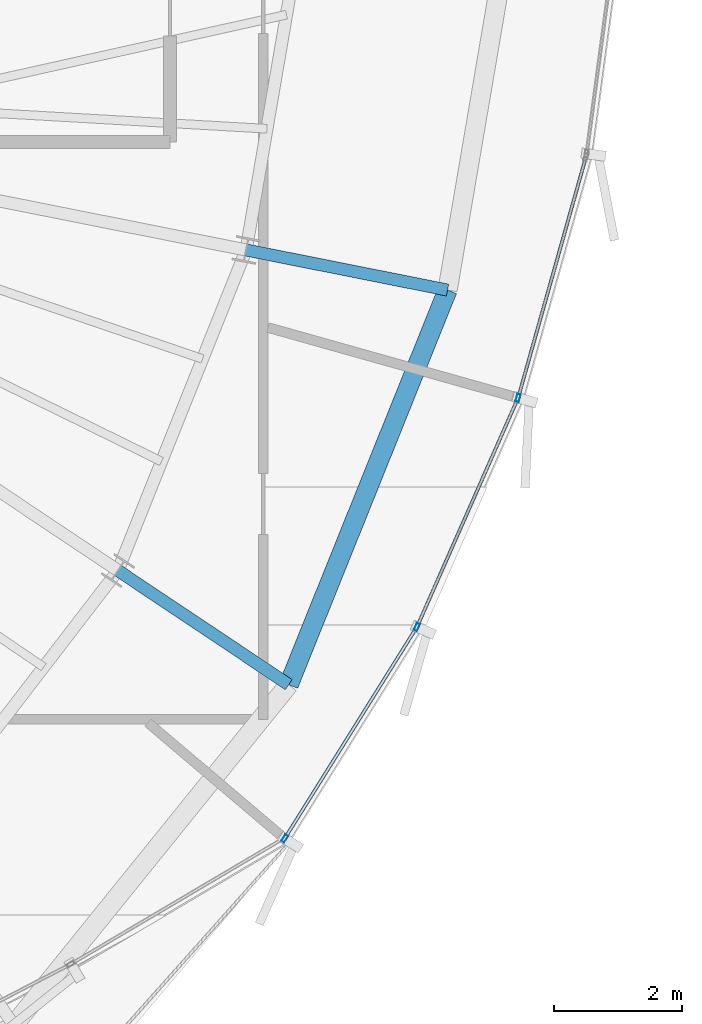
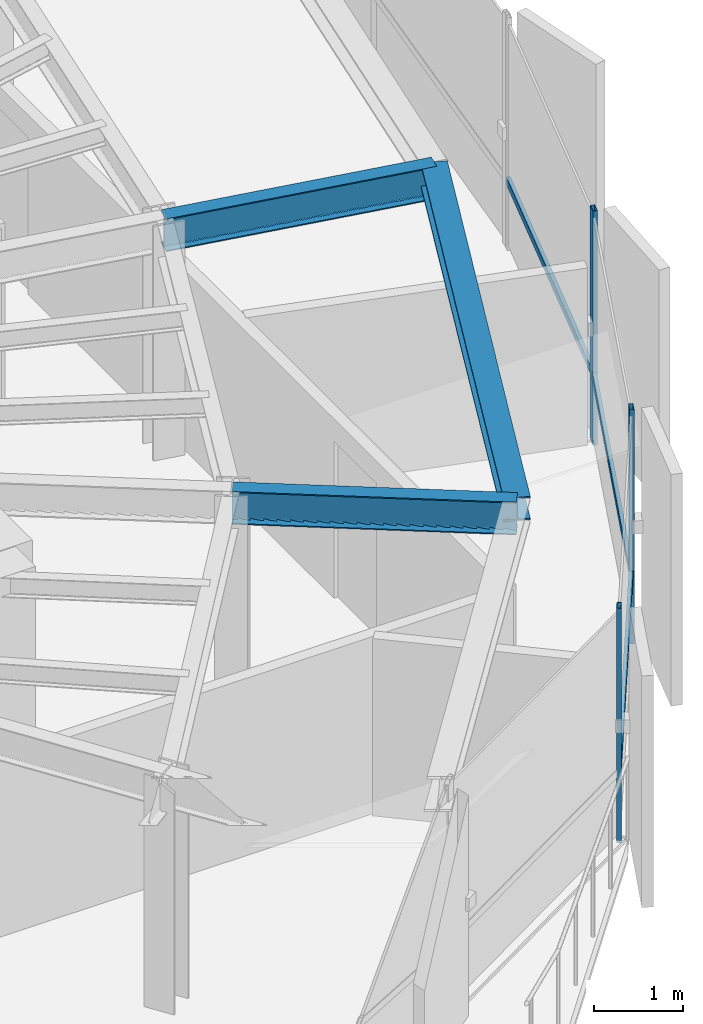
# One storey, part 14 of 31: 6 members, 3 beams, 1 element without a shape of its own.
"""IFC4 building model written with IfcOpenShell, lengths in metres."""

from ifc_helpers import new_model, si_unit, direction, frame, origin, origin_2d, place, context, subcontext, project, spatial, hollow_rectangle, i_section, extrude, source, transform, mapped, material, layer, layer_set, material_profile, profile_set, type_object, element, aggregate, save


model = new_model("IFC4")

# Units and contexts
model_context = context("Model", 3, precision=1e-05, world=origin(), true_north=direction((0.0, 1.0)))
body_context = subcontext(model_context, "Body", "Model", "MODEL_VIEW")
ifc_project = project(units=[si_unit("LENGTHUNIT", "METRE"), si_unit("AREAUNIT", "SQUARE_METRE"), si_unit("VOLUMEUNIT", "CUBIC_METRE"), si_unit("PLANEANGLEUNIT", "RADIAN"), si_unit("MASSUNIT", "GRAM", prefix="KILO"), si_unit("THERMODYNAMICTEMPERATUREUNIT", "KELVIN")], contexts=[model_context])

# Site, building, storey
site_placement = place(None, origin())
site = spatial("IfcSite", under=ifc_project, at=site_placement, CompositionType="ELEMENT")
building_placement = place(site_placement, origin())
building = spatial("IfcBuilding", under=site, at=building_placement, Name="Kethvar Cultural Tower", CompositionType="ELEMENT")
storey_placement = place(building_placement, frame((0.0, 0.0, 283.60009765625)))
storey = spatial("IfcBuildingStorey", under=building, at=storey_placement, Name="L75", CompositionType="ELEMENT", Elevation=283.60009765625)

# Beams
ifc_material_1 = material(Name="Steel S355J2", Category="steel")
ifc_material_profile_1 = material_profile(ifc_material_1, i_section(OverallWidth=0.18994140625, OverallDepth=0.449951171875, WebThickness=0.009521484375, FlangeThickness=0.0146484375, FilletRadius=0.02099609375, at=origin_2d()), Name="Steel S355J2 — IPE450")
ifc_profile_set_1 = profile_set([ifc_material_profile_1], Name="Steel S355J2 — IPE450")
beam_type_1 = type_object("IfcBeamType", Name="BM-IPE450", PredefinedType="BEAM", material=ifc_profile_set_1)
shared_shape_1 = source(origin(), body_context, "Body", "SweptSolid", [
    extrude(i_section(OverallWidth=0.18994140625, OverallDepth=0.449951171875, WebThickness=0.009521484375, FlangeThickness=0.0146484375, FilletRadius=0.02099609375, at=origin_2d()), origin(), (0.0, 0.0, 1.0), 3.199951171875),
])
for number, where, z_axis, x_axis, name in (
    (1, (58.287109375, 20.12451171875, 2.98291015625), (0.831462943996, -0.555580212716, 0.0), (0.555580212716, 0.831462943996, 0.0), "L75 Perimeter Cantilever Beam RC-15"),
    (2, (60.28369140625, 25.117919921875, 2.98291015625), (0.980785550224, -0.195088965533, 0.0), (0.195088965533, 0.980785550224, 0.0), "L75 Perimeter Cantilever Beam RC-16"),
):
    element("IfcBeam", number, at=place(storey_placement, frame(where, z_axis=z_axis, x_axis=x_axis)), inside=storey, type_object=beam_type_1, Name=name, PredefinedType="BEAM", context=body_context, shape_type="MappedRepresentation", body=[
        mapped(shared_shape_1, transform((0.0, 0.0, 0.0), scale=1.0)),
    ])
ifc_material_profile_2 = material_profile(ifc_material_1, i_section(OverallWidth=0.300048828125, OverallDepth=0.320068359375, WebThickness=0.011474609375, FlangeThickness=0.0205078125, FilletRadius=0.027099609375, at=origin_2d()), Name="Steel S355J2 — HEB320")
ifc_profile_set_2 = profile_set([ifc_material_profile_2], Name="Steel S355J2 — HEB320")
beam_type_2 = type_object("IfcBeamType", Name="BM-SP320", PredefinedType="SPANDREL", material=ifc_profile_set_2)
shared_shape_2 = source(origin(), body_context, "Body", "SweptSolid", [
    extrude(i_section(OverallWidth=0.300048828125, OverallDepth=0.320068359375, WebThickness=0.011474609375, FlangeThickness=0.0205078125, FilletRadius=0.027099609375, at=origin_2d()), origin(), (0.0, 0.0, 1.0), 6.626220703125),
])
beam_placement = place(storey_placement, frame((60.94775390625, 18.3466796875, 3.0478515625), z_axis=(0.373416224197, 0.927663906545, 0.0), x_axis=(-0.927663906545, 0.373416224197, 0.0)))
element("IfcBeam", 3, at=beam_placement, inside=storey, type_object=beam_type_2, Name="L75 Perimeter Spandrel Beam SP-15", PredefinedType="SPANDREL", context=body_context, shape_type="MappedRepresentation", body=[
    mapped(shared_shape_2, transform((0.0, 0.0, 0.0), scale=1.0)),
])

# Curtain wall, members
ifc_material_2 = material(Name="Aluminium 6063-T6", Category="aluminium")
ifc_layer = layer(ifc_material_2, 0.179931640625, Name="Aluminium 6063-T6", Category="aluminium")
ifc_layer_set = layer_set([ifc_layer], Name="Aluminium 6063-T6 (180 mm)")
curtain_wall_type = type_object("IfcCurtainWallType", Name="CW-SYS-05-Z56", PredefinedType="NOTDEFINED", material=ifc_layer_set)
curtain_wall_placement = place(storey_placement, origin())
curtain_wall = element("IfcCurtainWall", 4, at=curtain_wall_placement, inside=storey, type_object=curtain_wall_type, Name="L75 Curtain Wall Run 05", PredefinedType="NOTDEFINED")
ifc_material_profile_3 = material_profile(ifc_material_2, hollow_rectangle(XDim=0.054931640625, YDim=0.1201171875, WallThickness=0.00390625, at=origin_2d()), Name="Aluminium 6063-T6 — RHS120x55x4")
ifc_profile_set_3 = profile_set([ifc_material_profile_3], Name="Aluminium 6063-T6 — RHS120x55x4")
member_type_1 = type_object("IfcMemberType", Name="CW-SYS-05-Z56-MUL", PredefinedType="MULLION", material=ifc_profile_set_3)
shared_shape_3 = source(origin(), body_context, "Body", "SweptSolid", [
    extrude(hollow_rectangle(XDim=0.054931640625, YDim=0.1201171875, WallThickness=0.00390625, at=origin_2d()), origin(), (0.0, 0.0, 1.0), 3.2099609375),
])
member_1_placement = place(storey_placement, frame((60.884033203125, 15.947509765625, 0.0), z_axis=(0.0, 0.0, 1.0), x_axis=(-0.848038847191, 0.529934065384, 0.0)))
member_1 = element("IfcMember", 5, at=member_1_placement, type_object=member_type_1, Name="CW-L75-R05 Mullion 4", PredefinedType="MULLION", context=body_context, shape_type="MappedRepresentation", body=[
    mapped(shared_shape_3, transform((0.0, 0.0, 0.0), scale=1.0)),
])
member_2_placement = place(storey_placement, frame((62.94482421875, 19.24365234375, 0.0), z_axis=(0.0, 0.0, 1.0), x_axis=(-0.91486103582, 0.403768851126, 0.0)))
member_2 = element("IfcMember", 6, at=member_2_placement, type_object=member_type_1, Name="CW-L75-R05 Mullion 5", PredefinedType="MULLION", context=body_context, shape_type="MappedRepresentation", body=[
    mapped(shared_shape_3, transform((0.0, 0.0, 0.0), scale=1.0)),
])
member_3_placement = place(storey_placement, frame((64.521484375, 22.813720703125, 0.0), z_axis=(0.0, 0.0, 1.0), x_axis=(-0.962592501523, 0.270953272746, 0.0)))
member_3 = element("IfcMember", 7, at=member_3_placement, type_object=member_type_1, Name="CW-L75-R05 Mullion 6", PredefinedType="MULLION", context=body_context, shape_type="MappedRepresentation", body=[
    mapped(shared_shape_3, transform((0.0, 0.0, 0.0), scale=1.0)),
])
ifc_material_profile_4 = material_profile(ifc_material_2, hollow_rectangle(XDim=0.050048828125, YDim=0.10009765625, WallThickness=0.00390625, at=origin_2d()), Name="Aluminium 6063-T6 — RHS100x50x4")
ifc_profile_set_4 = profile_set([ifc_material_profile_4], Name="Aluminium 6063-T6 — RHS100x50x4")
member_type_2 = type_object("IfcMemberType", Name="CW-SYS-05-Z56-TRN", PredefinedType="USERDEFINED", material=ifc_profile_set_4)
shared_shape_4 = source(origin(), body_context, "Body", "SweptSolid", [
    extrude(hollow_rectangle(XDim=0.050048828125, YDim=0.10009765625, WallThickness=0.00390625, at=origin_2d()), origin(), (0.0, 0.0, 1.0), 3.849609375),
])
member_4_placement = place(storey_placement, frame((64.5322265625, 22.851806640625, 0.949951171875), z_axis=(0.270932906559, 0.962598234023, 0.0), x_axis=(-0.962598234023, 0.270932906559, 0.0)))
member_4 = element("IfcMember", 8, at=member_4_placement, type_object=member_type_2, Name="CW-L75-R05 Transom 6", ObjectType="TRANSOM", PredefinedType="USERDEFINED", context=body_context, shape_type="MappedRepresentation", body=[
    mapped(shared_shape_4, transform((0.0, 0.0, 0.0), scale=1.0)),
])
shared_shape_5 = source(origin(), body_context, "Body", "SweptSolid", [
    extrude(hollow_rectangle(XDim=0.050048828125, YDim=0.10009765625, WallThickness=0.00390625, at=origin_2d()), origin(), (0.0, 0.0, 1.0), 3.83740234375),
])
member_5_placement = place(storey_placement, frame((62.9609375, 19.27978515625, 0.949951171875), z_axis=(0.403740450235, 0.914873569868, 0.0), x_axis=(-0.914873569868, 0.403740450235, 0.0)))
member_5 = element("IfcMember", 9, at=member_5_placement, type_object=member_type_2, Name="CW-L75-R05 Transom 5", ObjectType="TRANSOM", PredefinedType="USERDEFINED", context=body_context, shape_type="MappedRepresentation", body=[
    mapped(shared_shape_5, transform((0.0, 0.0, 0.0), scale=1.0)),
])
shared_shape_6 = source(origin(), body_context, "Body", "SweptSolid", [
    extrude(hollow_rectangle(XDim=0.050048828125, YDim=0.10009765625, WallThickness=0.00390625, at=origin_2d()), origin(), (0.0, 0.0, 1.0), 3.822265625),
])
member_6_placement = place(storey_placement, frame((60.905029296875, 15.981201171875, 0.949951171875), z_axis=(0.529947267164, 0.84803059734, 0.0), x_axis=(-0.84803059734, 0.529947267164, 0.0)))
member_6 = element("IfcMember", 10, at=member_6_placement, type_object=member_type_2, Name="CW-L75-R05 Transom 4", ObjectType="TRANSOM", PredefinedType="USERDEFINED", context=body_context, shape_type="MappedRepresentation", body=[
    mapped(shared_shape_6, transform((0.0, 0.0, 0.0), scale=1.0)),
])
aggregate(curtain_wall, [member_1, member_2, member_3, member_6, member_5, member_4])

save(model, "model.ifc")
